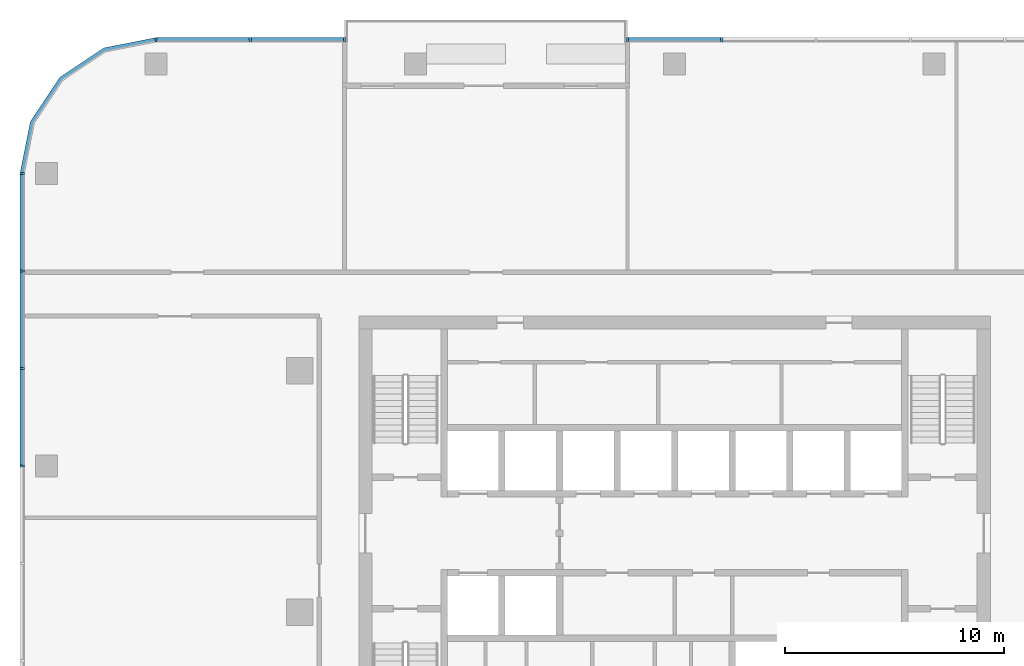
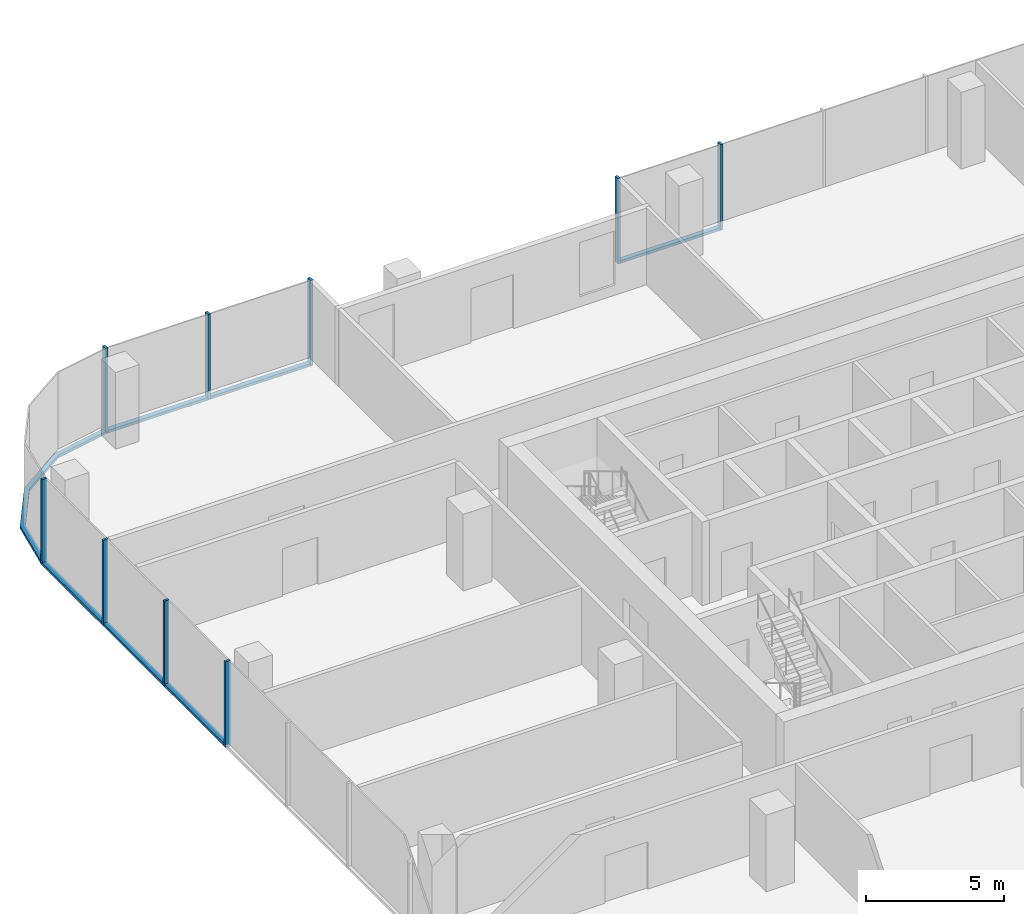
# One storey, part 4 of 13: 16 members, 4 elements without a shape of their own.
"""IFC4 building model written with IfcOpenShell, lengths in metres."""

import ifcopenshell
import ifcopenshell.guid

model = None  # the IFC model being written
_history = None  # IfcOwnerHistory: only IFC2X3 demands one
_inside = {}  # id of a spatial element -> (the spatial element, [elements in it])
_under = {}  # id of a project, library or spatial element -> (it, [spatial elements below it])
_declared = {}  # id of a project -> (the project, [libraries it declares])
_typed = {}  # id of a type object -> (the type object, [elements of that type])
_made_of = {}  # id of a material, layer set ... -> (it, [elements and type objects made of it])


def new_model(schema):
    """Start an empty IFC model of exactly this schema.

    Asked for "IFC4X3", IfcOpenShell would pick the latest addendum, in which some entities
    have other attributes; the version numbers below select the first issue.
    IFC2X3 requires an IfcOwnerHistory on every rooted entity: one is made here for all.
    """
    global model, _history
    if schema == "IFC4X3":
        model = ifcopenshell.file(schema_version=(4, 3, 0, 0))
    else:
        model = ifcopenshell.file(schema=schema)
    _inside.clear()
    _under.clear()
    _declared.clear()
    _typed.clear()
    _made_of.clear()
    _history = None
    if model.schema == "IFC2X3":
        org = make("IfcOrganization", Name="unknown")
        user = make(
            "IfcPersonAndOrganization",
            ThePerson=make("IfcPerson", FamilyName="unknown"),
            TheOrganization=org,
        )
        app = make(
            "IfcApplication",
            ApplicationDeveloper=org,
            Version="unknown",
            ApplicationFullName="unknown",
            ApplicationIdentifier="unknown",
        )
        _history = make(
            "IfcOwnerHistory",
            OwningUser=user,
            OwningApplication=app,
            ChangeAction="ADDED",
            CreationDate=0,
        )
    return model


def make(cls, **values):
    """One entity of the class cls with the attributes given. An attribute that is None is left unset."""
    return model.create_entity(
        cls, **{name: value for name, value in values.items() if value is not None}
    )


def rooted(cls, **values):
    """An entity with a GlobalId (a new one), such as an element, a storey or a relation."""
    return make(cls, GlobalId=ifcopenshell.guid.new(), OwnerHistory=_history, **values)


def si_unit(unit_type, name, prefix=None):
    """IfcSIUnit, for example si_unit("LENGTHUNIT", "METRE", prefix="MILLI")."""
    return make("IfcSIUnit", UnitType=unit_type, Prefix=prefix, Name=name)


def assignment(units):
    """IfcUnitAssignment: the units of a project."""
    return None if units is None else make("IfcUnitAssignment", Units=units)


def point(xyz):
    """IfcCartesianPoint."""
    return None if xyz is None else make("IfcCartesianPoint", Coordinates=xyz)


def direction(xyz):
    """IfcDirection."""
    return None if xyz is None else make("IfcDirection", DirectionRatios=xyz)


def frame(location, z_axis=None, x_axis=None):
    """IfcAxis2Placement3D, a coordinate frame: its origin and axes. An axis left out is left unset."""
    return make(
        "IfcAxis2Placement3D",
        Location=point(location),
        Axis=direction(z_axis),
        RefDirection=direction(x_axis),
    )


def frame_2d(location, x_axis=None):
    """IfcAxis2Placement2D, a coordinate frame in the plane: its origin and x axis."""
    return make(
        "IfcAxis2Placement2D", Location=point(location), RefDirection=direction(x_axis)
    )


def origin():
    """The frame at (0, 0, 0) with its axes left unset."""
    return frame((0.0, 0.0, 0.0))


def origin_2d():
    """The frame at (0, 0) in the plane with its x axis left unset."""
    return frame_2d((0.0, 0.0))


def place(relative_to, where):
    """IfcLocalPlacement: puts the frame where relative to a parent placement (None: the world)."""
    return make(
        "IfcLocalPlacement", PlacementRelTo=relative_to, RelativePlacement=where
    )


def context(
    kind, dimensions, precision=None, world=None, true_north=None, identifier=None
):
    """IfcGeometricRepresentationContext, for example the 3D "Model" context."""
    return make(
        "IfcGeometricRepresentationContext",
        ContextIdentifier=identifier,
        ContextType=kind,
        CoordinateSpaceDimension=dimensions,
        Precision=precision,
        WorldCoordinateSystem=world,
        TrueNorth=true_north,
    )


def subcontext(parent, identifier, kind, view, scale=None):
    """IfcGeometricRepresentationSubContext, for example "Body" below "Model"."""
    return make(
        "IfcGeometricRepresentationSubContext",
        ContextIdentifier=identifier,
        ContextType=kind,
        ParentContext=parent,
        TargetScale=scale,
        TargetView=view,
    )


def project(units=None, contexts=None):
    """IfcProject with its units and contexts."""
    return rooted(
        "IfcProject",
        Name="project",
        RepresentationContexts=contexts,
        UnitsInContext=assignment(units),
    )


def spatial(cls, under=None, at=None, **own):
    """A site, building, storey or space (cls), placed at a placement, below another one or the project."""
    s = rooted(cls, ObjectPlacement=at, **own)
    if under is not None:
        _under.setdefault(under.id(), (under, []))[1].append(s)
    return s


def polyline(points):
    """IfcPolyline through the points."""
    return make("IfcPolyline", Points=[point(p) for p in points])


def profile(cls, at=None, kind="AREA", **sizes):
    """A parametric profile (cls). Its sizes go by their IFC names, for example OverallWidth=200.0."""
    return make(cls, ProfileType=kind, Position=at, **sizes)


def rectangle(**sizes):
    """IfcRectangleProfileDef."""
    return profile("IfcRectangleProfileDef", **sizes)


def outline(outer, holes=None, kind="AREA"):
    """IfcArbitraryClosedProfileDef: a profile drawn as a closed curve; with holes, ...WithVoids."""
    if holes is None:
        return make("IfcArbitraryClosedProfileDef", ProfileType=kind, OuterCurve=outer)
    return make(
        "IfcArbitraryProfileDefWithVoids",
        ProfileType=kind,
        OuterCurve=outer,
        InnerCurves=holes,
    )


def extrude(swept, where, along, depth):
    """IfcExtrudedAreaSolid: the profile swept, set in the frame where, extruded along a direction by depth."""
    return make(
        "IfcExtrudedAreaSolid",
        SweptArea=swept,
        Position=where,
        ExtrudedDirection=direction(along),
        Depth=depth,
    )


def shape(context_of_items, identifier, shape_type, items):
    """IfcShapeRepresentation: the items that make up one representation, for example the "Body"."""
    return make(
        "IfcShapeRepresentation",
        ContextOfItems=context_of_items,
        RepresentationIdentifier=identifier,
        RepresentationType=shape_type,
        Items=items,
    )


def material(Name=None, Category=None):
    """IfcMaterial."""
    return make("IfcMaterial", Name=Name, Category=Category)


def material_profile(
    of_material, cross_section, Name=None, Category=None, Priority=None
):
    """IfcMaterialProfile: a cross section and its material."""
    return make(
        "IfcMaterialProfile",
        Name=Name,
        Material=of_material,
        Profile=cross_section,
        Priority=Priority,
        Category=Category,
    )


def profile_set(profiles, Name=None, composite=None):
    """IfcMaterialProfileSet."""
    return make(
        "IfcMaterialProfileSet",
        Name=Name,
        MaterialProfiles=profiles,
        CompositeProfile=composite,
    )


def made_of(thing, what):
    """Note that an element or type object is made of a material, layer set ...; save() writes the relation."""
    if what is not None:
        _made_of.setdefault(what.id(), (what, []))[1].append(thing)
    return thing


def type_object(cls, material=None, **own):
    """A type object (cls), such as IfcWallType, which elements share."""
    return made_of(rooted(cls, **own), material)


def element(
    cls,
    number,
    at=None,
    inside=None,
    cuts=None,
    type_object=None,
    material=None,
    context=None,
    identifier="Body",
    shape_type=None,
    held_by="IfcProductDefinitionShape",
    body=None,
    shapes=None,
    **own,
):
    """One element of the class cls, such as IfcWall. Its Tag is "e" and its number.

    at: its placement. inside: the storey or other place that contains it. cuts: it is an
    opening in that element (IfcRelVoidsElement). A single representation is given by context,
    identifier, shape_type and body (its items); several are given by shapes. held_by: the class
    of the entity that holds the representations. save() writes the other relations.
    """
    e = rooted(cls, Tag="e%d" % number, ObjectPlacement=at, **own)
    if body is not None:
        shapes = [shape(context, identifier, shape_type, body)]
    if shapes is not None:
        e.Representation = make(held_by, Representations=shapes)
    if inside is not None:
        _inside.setdefault(inside.id(), (inside, []))[1].append(e)
    if cuts is not None:
        rooted(
            "IfcRelVoidsElement", RelatingBuildingElement=cuts, RelatedOpeningElement=e
        )
    if type_object is not None:
        _typed.setdefault(type_object.id(), (type_object, []))[1].append(e)
    return made_of(e, material)


def aggregate(whole, parts):
    """IfcRelAggregates: a whole, such as a stair, and the parts it consists of."""
    return rooted("IfcRelAggregates", RelatingObject=whole, RelatedObjects=parts)


def save(model, path):
    """Write the relations noted so far, then the file.

    IfcRelAggregates (storeys below a building ...), IfcRelContainedInSpatialStructure (elements
    in a storey), IfcRelDefinesByType, IfcRelAssociatesMaterial and IfcRelDeclares: one each for
    every whole, place, type object, material and project.
    """
    for whole, parts in _under.values():
        aggregate(whole, parts)
    for where, things in _inside.values():
        rooted(
            "IfcRelContainedInSpatialStructure",
            RelatedElements=things,
            RelatingStructure=where,
        )
    for kind, things in _typed.values():
        rooted("IfcRelDefinesByType", RelatedObjects=things, RelatingType=kind)
    for what, things in _made_of.values():
        rooted("IfcRelAssociatesMaterial", RelatedObjects=things, RelatingMaterial=what)
    for by, libraries in _declared.values():
        rooted("IfcRelDeclares", RelatingContext=by, RelatedDefinitions=libraries)
    model.write(path)


model = new_model("IFC4")

# Units and contexts
model_context = context("Model", 3, precision=1e-05, world=origin(), true_north=direction((0.0, 1.0)))
body_context = subcontext(model_context, "Body", "Model", "MODEL_VIEW")
ifc_project = project(units=[si_unit("LENGTHUNIT", "METRE"), si_unit("AREAUNIT", "SQUARE_METRE"), si_unit("VOLUMEUNIT", "CUBIC_METRE"), si_unit("PLANEANGLEUNIT", "RADIAN"), si_unit("MASSUNIT", "GRAM", prefix="KILO")], contexts=[model_context])

# Site, building, storey
site_placement = place(None, origin())
site = spatial("IfcSite", under=ifc_project, at=site_placement, CompositionType="ELEMENT")
building_placement = place(site_placement, origin())
building = spatial("IfcBuilding", under=site, at=building_placement, Name="Mopane Tessera Tower", CompositionType="ELEMENT")
storey_placement = place(building_placement, frame((0.0, 0.0, 311.39990234375)))
storey = spatial("IfcBuildingStorey", under=building, at=storey_placement, Name="L68", CompositionType="ELEMENT", Elevation=311.39990234375)

# Curtain wall, members
ifc_material_1 = material(Name="Aluminium frame", Category="aluminium")
curtain_wall_type = type_object("IfcCurtainWallType", Name="Unitised curtain wall", PredefinedType="NOTDEFINED", material=ifc_material_1)
curtain_wall_1_placement = place(storey_placement, origin())
curtain_wall_1 = element("IfcCurtainWall", 1, at=curtain_wall_1_placement, inside=storey, type_object=curtain_wall_type, Name="e:cw:L68:N:0", PredefinedType="NOTDEFINED")
ifc_material_2 = material(Name="Aluminium frame", Category="aluminium")
ifc_material_profile_1 = material_profile(ifc_material_2, rectangle(XDim=0.10009765625, YDim=0.199951171875, at=origin_2d()))
ifc_profile_set_1 = profile_set([ifc_material_profile_1], Name="Aluminium frame")
member_type_1 = type_object("IfcMemberType", Name="Aluminium mullion 100 x 200", PredefinedType="MULLION", material=ifc_profile_set_1)
member_1_placement = place(storey_placement, frame((2.14990234375, 26.10009765625, -0.39990234375), z_axis=(0.0, 0.0, 1.0), x_axis=(-1.0, 0.0, 0.0)))
member_1 = element("IfcMember", 2, at=member_1_placement, type_object=member_type_1, Name="e:cw:L68:N:0:mu5", PredefinedType="MULLION", context=body_context, shape_type="SweptSolid", body=[
    extrude(rectangle(XDim=0.10009765625, YDim=0.199951171875, at=origin_2d()), origin(), (0.0, 0.0, 1.0), 3.800048828125),
])
member_2_placement = place(storey_placement, frame((-2.14990234375, 26.10009765625, -0.39990234375), z_axis=(0.0, 0.0, 1.0), x_axis=(-1.0, 0.0, 0.0)))
member_2 = element("IfcMember", 3, at=member_2_placement, type_object=member_type_1, Name="e:cw:L68:N:0:mu6", PredefinedType="MULLION", context=body_context, shape_type="SweptSolid", body=[
    extrude(rectangle(XDim=0.10009765625, YDim=0.199951171875, at=origin_2d()), origin(), (0.0, 0.0, 1.0), 3.800048828125),
])

curtain_wall_2_placement = place(storey_placement, origin())
curtain_wall_2 = element("IfcCurtainWall", 4, at=curtain_wall_2_placement, inside=storey, type_object=curtain_wall_type, Name="e:cw:L68:N:9", PredefinedType="NOTDEFINED")
member_3_placement = place(storey_placement, frame((-15.050048828125, 26.10009765625, -0.39990234375), z_axis=(0.0, 0.0, 1.0), x_axis=(-1.0, 0.0, 0.0)))
member_3 = element("IfcMember", 5, at=member_3_placement, type_object=member_type_1, Name="e:cw:L68:N:9:mu9", PredefinedType="MULLION", context=body_context, shape_type="SweptSolid", body=[
    extrude(rectangle(XDim=0.10009765625, YDim=0.199951171875, at=origin_2d()), origin(), (0.0, 0.0, 1.0), 3.800048828125),
])
member_4_placement = place(storey_placement, frame((-19.35009765625, 26.10009765625, -0.39990234375), z_axis=(0.0, 0.0, 1.0), x_axis=(-1.0, 0.0, 0.0)))
member_4 = element("IfcMember", 6, at=member_4_placement, type_object=member_type_1, Name="e:cw:L68:N:9:mu10", PredefinedType="MULLION", context=body_context, shape_type="SweptSolid", body=[
    extrude(rectangle(XDim=0.10009765625, YDim=0.199951171875, at=origin_2d()), origin(), (0.0, 0.0, 1.0), 3.800048828125),
])
member_5_placement = place(storey_placement, frame((-23.64990234375, 26.10009765625, -0.39990234375), z_axis=(0.0, 0.0, 1.0), x_axis=(-1.0, 0.0, 0.0)))
member_5 = element("IfcMember", 7, at=member_5_placement, type_object=member_type_1, Name="e:cw:L68:N:9:mu11", PredefinedType="MULLION", context=body_context, shape_type="SweptSolid", body=[
    extrude(rectangle(XDim=0.10009765625, YDim=0.199951171875, at=origin_2d()), origin(), (0.0, 0.0, 1.0), 3.800048828125),
])

curtain_wall_3_placement = place(storey_placement, origin())
curtain_wall_3 = element("IfcCurtainWall", 8, at=curtain_wall_3_placement, inside=storey, type_object=curtain_wall_type, Name="e:cw:L68:W:0", PredefinedType="NOTDEFINED")
member_6_placement = place(storey_placement, frame((-29.75, 20.0, -0.39990234375), z_axis=(0.0, 0.0, 1.0), x_axis=(0.0, -1.0, 0.0)))
member_6 = element("IfcMember", 9, at=member_6_placement, type_object=member_type_1, Name="e:cw:L68:W:0:mu0", PredefinedType="MULLION", context=body_context, shape_type="SweptSolid", body=[
    extrude(rectangle(XDim=0.10009765625, YDim=0.199951171875, at=origin_2d()), origin(), (0.0, 0.0, 1.0), 3.800048828125),
])
member_7_placement = place(storey_placement, frame((-29.75, 15.5556640625, -0.39990234375), z_axis=(0.0, 0.0, 1.0), x_axis=(0.0, -1.0, 0.0)))
member_7 = element("IfcMember", 10, at=member_7_placement, type_object=member_type_1, Name="e:cw:L68:W:0:mu1", PredefinedType="MULLION", context=body_context, shape_type="SweptSolid", body=[
    extrude(rectangle(XDim=0.10009765625, YDim=0.199951171875, at=origin_2d()), origin(), (0.0, 0.0, 1.0), 3.800048828125),
])
member_8_placement = place(storey_placement, frame((-29.75, 11.111083984375, -0.39990234375), z_axis=(0.0, 0.0, 1.0), x_axis=(0.0, -1.0, 0.0)))
member_8 = element("IfcMember", 11, at=member_8_placement, type_object=member_type_1, Name="e:cw:L68:W:0:mu2", PredefinedType="MULLION", context=body_context, shape_type="SweptSolid", body=[
    extrude(rectangle(XDim=0.10009765625, YDim=0.199951171875, at=origin_2d()), origin(), (0.0, 0.0, 1.0), 3.800048828125),
])
member_9_placement = place(storey_placement, frame((-29.75, 6.666748046875, -0.39990234375), z_axis=(0.0, 0.0, 1.0), x_axis=(0.0, -1.0, 0.0)))
member_9 = element("IfcMember", 12, at=member_9_placement, type_object=member_type_1, Name="e:cw:L68:W:0:mu3", PredefinedType="MULLION", context=body_context, shape_type="SweptSolid", body=[
    extrude(rectangle(XDim=0.10009765625, YDim=0.199951171875, at=origin_2d()), origin(), (0.0, 0.0, 1.0), 3.800048828125),
])

# Member
ifc_material_3 = material(Name="Aluminium frame", Category="aluminium")
ifc_material_profile_2 = material_profile(ifc_material_3, rectangle(XDim=0.199951171875, YDim=0.1201171875, at=origin_2d()))
ifc_profile_set_2 = profile_set([ifc_material_profile_2], Name="Aluminium frame")
member_type_2 = type_object("IfcMemberType", Name="Aluminium transom 200 x 120", PredefinedType="USERDEFINED", material=ifc_profile_set_2)
member_10_placement = place(storey_placement, frame((2.10009765625, 26.10009765625, -0.33984375), z_axis=(-1.0, 0.0, 0.0), x_axis=(0.0, -1.0, 0.0)))
member_10 = element("IfcMember", 13, at=member_10_placement, type_object=member_type_2, Name="e:cw:L68:N:0:tr5", ObjectType="TRANSOM", PredefinedType="USERDEFINED", context=body_context, shape_type="SweptSolid", body=[
    extrude(rectangle(XDim=0.199951171875, YDim=0.1201171875, at=origin_2d()), origin(), (0.0, 0.0, 1.0), 4.2001953125),
])

aggregate(curtain_wall_1, [member_1, member_2, member_10])

member_11_placement = place(storey_placement, frame((-15.10009765625, 26.10009765625, -0.33984375), z_axis=(-1.0, 0.0, 0.0), x_axis=(0.0, -1.0, 0.0)))
member_11 = element("IfcMember", 14, at=member_11_placement, type_object=member_type_2, Name="e:cw:L68:N:9:tr9", ObjectType="TRANSOM", PredefinedType="USERDEFINED", context=body_context, shape_type="SweptSolid", body=[
    extrude(rectangle(XDim=0.199951171875, YDim=0.1201171875, at=origin_2d()), origin(), (0.0, 0.0, 1.0), 4.199951171875),
])

member_12_placement = place(storey_placement, frame((-19.39990234375, 26.10009765625, -0.33984375), z_axis=(-1.0, 0.0, 0.0), x_axis=(0.0, -1.0, 0.0)))
member_12 = element("IfcMember", 15, at=member_12_placement, type_object=member_type_2, Name="e:cw:L68:N:9:tr10", ObjectType="TRANSOM", PredefinedType="USERDEFINED", context=body_context, shape_type="SweptSolid", body=[
    extrude(rectangle(XDim=0.199951171875, YDim=0.1201171875, at=origin_2d()), origin(), (0.0, 0.0, 1.0), 4.2001953125),
])

aggregate(curtain_wall_2, [member_3, member_4, member_5, member_11, member_12])

# Curtain wall, member
curtain_wall_4_placement = place(storey_placement, origin())
curtain_wall_4 = element("IfcCurtainWall", 16, at=curtain_wall_4_placement, inside=storey, type_object=curtain_wall_type, Name="e:cw:L68:CN", PredefinedType="NOTDEFINED")
member_13_placement = place(storey_placement, frame((0.0, 0.0, -0.39990234375)))
member_13 = element("IfcMember", 17, at=member_13_placement, type_object=member_type_2, Name="e:cw:L68:CN:tr", ObjectType="TRANSOM", PredefinedType="USERDEFINED", context=body_context, shape_type="SweptSolid", body=[
    extrude(outline(polyline([(-23.64990234375, 26.0), (-25.946044921875, 25.543212890625), (-27.892578125, 24.24267578125), (-29.193359375, 22.296142578125), (-29.64990234375, 20.0), (-29.85009765625, 20.0), (-29.378173828125, 22.37255859375), (-28.0341796875, 24.384033203125), (-26.022705078125, 25.72802734375), (-23.64990234375, 26.199951171875), (-23.64990234375, 26.0)])), origin(), (0.0, 0.0, 1.0), 0.1201171875),
])
aggregate(curtain_wall_4, [member_13])

# Member
member_14_placement = place(storey_placement, frame((-29.75, 19.949951171875, -0.33984375), z_axis=(0.0, -1.0, 0.0), x_axis=(1.0, 0.0, 0.0)))
member_14 = element("IfcMember", 18, at=member_14_placement, type_object=member_type_2, Name="e:cw:L68:W:0:tr0", ObjectType="TRANSOM", PredefinedType="USERDEFINED", context=body_context, shape_type="SweptSolid", body=[
    extrude(rectangle(XDim=0.199951171875, YDim=0.1201171875, at=origin_2d()), origin(), (0.0, 0.0, 1.0), 4.344482421875),
])

member_15_placement = place(storey_placement, frame((-29.75, 15.505615234375, -0.33984375), z_axis=(0.0, -1.0, 0.0), x_axis=(1.0, 0.0, 0.0)))
member_15 = element("IfcMember", 19, at=member_15_placement, type_object=member_type_2, Name="e:cw:L68:W:0:tr1", ObjectType="TRANSOM", PredefinedType="USERDEFINED", context=body_context, shape_type="SweptSolid", body=[
    extrude(rectangle(XDim=0.199951171875, YDim=0.1201171875, at=origin_2d()), origin(), (0.0, 0.0, 1.0), 4.344482421875),
])

member_16_placement = place(storey_placement, frame((-29.75, 11.06103515625, -0.33984375), z_axis=(0.0, -1.0, 0.0), x_axis=(1.0, 0.0, 0.0)))
member_16 = element("IfcMember", 20, at=member_16_placement, type_object=member_type_2, Name="e:cw:L68:W:0:tr2", ObjectType="TRANSOM", PredefinedType="USERDEFINED", context=body_context, shape_type="SweptSolid", body=[
    extrude(rectangle(XDim=0.199951171875, YDim=0.1201171875, at=origin_2d()), origin(), (0.0, 0.0, 1.0), 4.344482421875),
])

aggregate(curtain_wall_3, [member_6, member_7, member_8, member_9, member_14, member_15, member_16])

save(model, "model.ifc")
